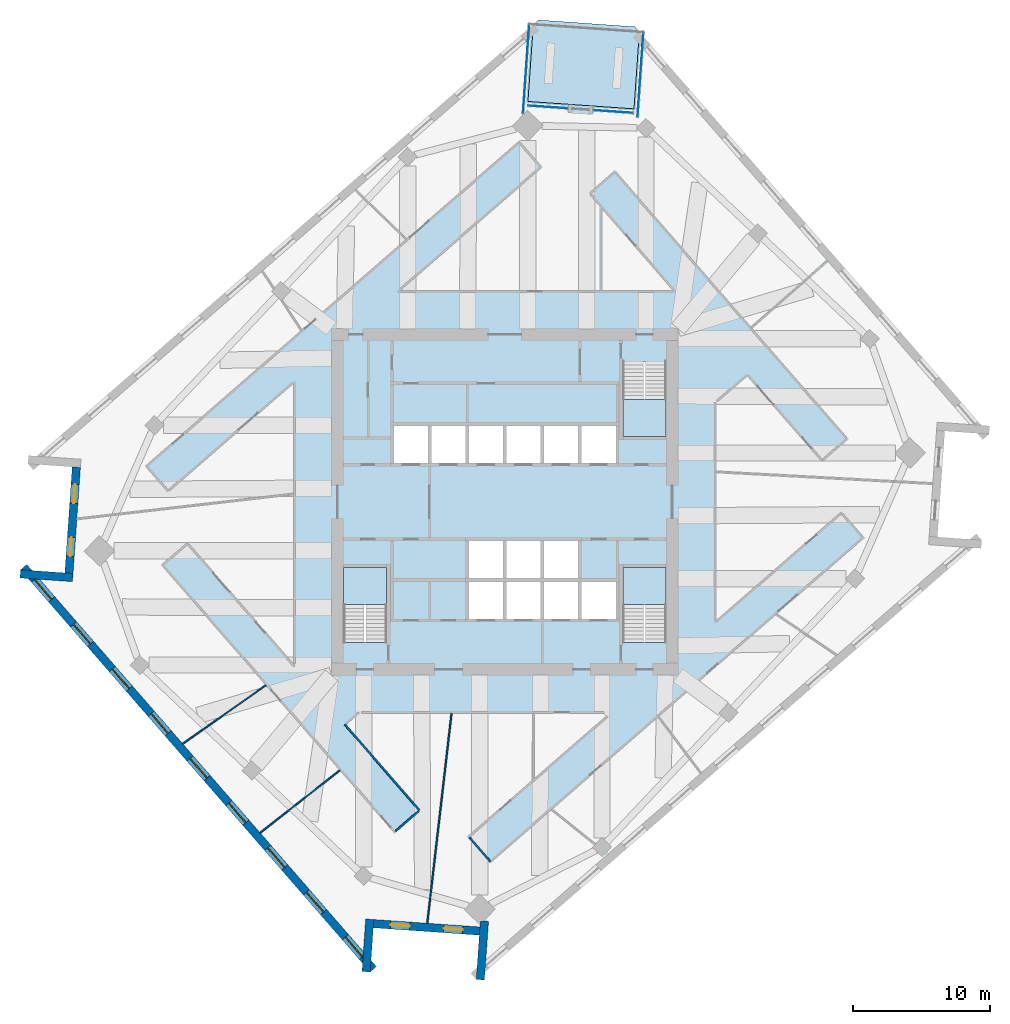
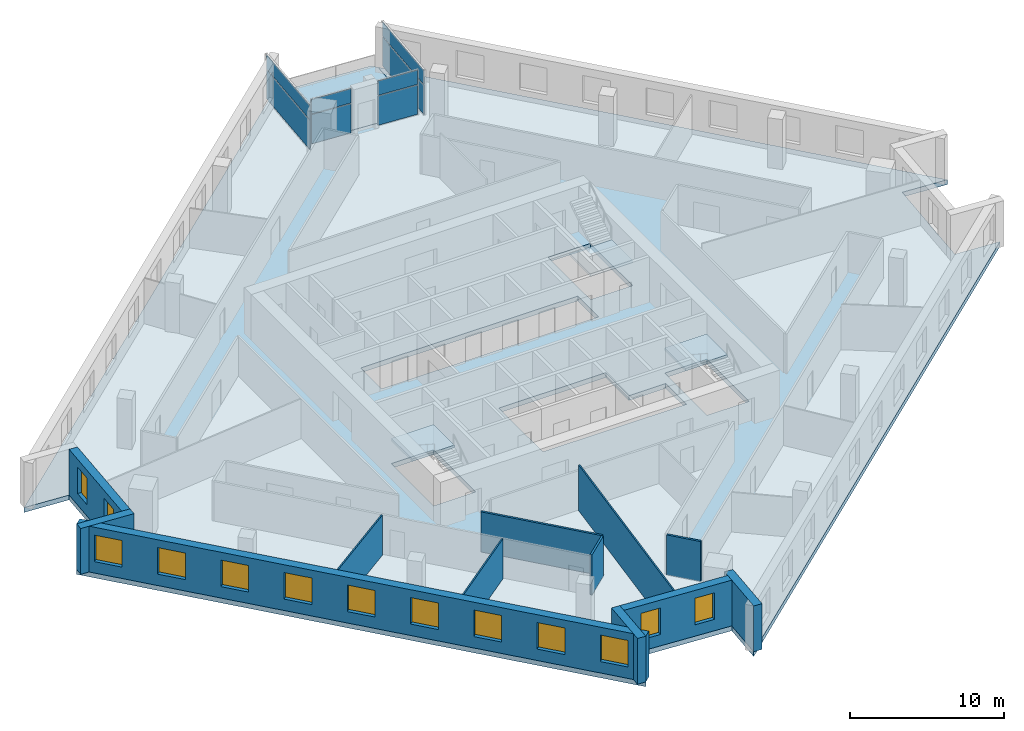
# One storey, part 3 of 11: 13 windows, 12 walls, 8 plates, 5 slabs, 13 openings, 7 elements without a shape of their own.
"""IFC4 building model written with IfcOpenShell, lengths in metres."""

from ifc_helpers import new_model, si_unit, direction, frame, frame_2d, origin, origin_2d, place, context, subcontext, project, spatial, polyline, rectangle, outline, extrude, material, layer, layer_set, type_object, element, fill, aggregate, save


model = new_model("IFC4")

# Units and contexts
model_context = context("Model", 3, precision=1e-05, world=origin(), true_north=direction((0.0, 1.0)))
body_context = subcontext(model_context, "Body", "Model", "MODEL_VIEW")
ifc_project = project(units=[si_unit("LENGTHUNIT", "METRE"), si_unit("AREAUNIT", "SQUARE_METRE"), si_unit("VOLUMEUNIT", "CUBIC_METRE"), si_unit("PLANEANGLEUNIT", "RADIAN"), si_unit("MASSUNIT", "GRAM", prefix="KILO")], contexts=[model_context])

# Site, building, storey
site_placement = place(None, origin())
site = spatial("IfcSite", under=ifc_project, at=site_placement, CompositionType="ELEMENT")
building_placement = place(site_placement, origin())
building = spatial("IfcBuilding", under=site, at=building_placement, Name="Dilmun Exchange Tower", CompositionType="ELEMENT")
storey_placement = place(building_placement, frame((0.0, 0.0, 193.300048828125)))
storey = spatial("IfcBuildingStorey", under=building, at=storey_placement, Name="L45", CompositionType="ELEMENT", Elevation=193.300048828125)

# Stair, slab
ifc_material_1 = material(Name="Concrete C40/50", Category="concrete")
stair_type = type_object("IfcStairType", Name="Exit stair 1500 half-turn", PredefinedType="HALF_TURN_STAIR", material=ifc_material_1)
stair_1_placement = place(storey_placement, origin())
stair_1 = element("IfcStair", 1, at=stair_1_placement, inside=storey, type_object=stair_type, Name="L45 Protected exit stair ST1", PredefinedType="HALF_TURN_STAIR")
ifc_layer_1 = layer(ifc_material_1, 0.199951171875)
ifc_layer_set_1 = layer_set([ifc_layer_1], Name="Concrete C40/50")
slab_type_1 = type_object("IfcSlabType", Name="Exit stair landing 200", PredefinedType="LANDING", material=ifc_layer_set_1)
slab_1_placement = place(storey_placement, frame((0.0, 0.0, 1.800048828125)))
slab_1 = element("IfcSlab", 2, at=slab_1_placement, type_object=slab_type_1, Name="ST1 landing 1", PredefinedType="LANDING", context=body_context, shape_type="SweptSolid", body=[
    extrude(outline(polyline([(8.64990234375, 7.5), (8.64990234375, 4.800048828125), (11.800048828125, 4.800048828125), (11.800048828125, 7.5), (8.64990234375, 7.5)])), origin(), (0.0, 0.0, 1.0), 0.199951171875),
])
aggregate(stair_1, [slab_1])

stair_2_placement = place(storey_placement, origin())
stair_2 = element("IfcStair", 3, at=stair_2_placement, inside=storey, type_object=stair_type, Name="L45 Protected exit stair ST2", PredefinedType="HALF_TURN_STAIR")
slab_2_placement = place(storey_placement, frame((0.0, 0.0, 1.800048828125)))
slab_2 = element("IfcSlab", 4, at=slab_2_placement, type_object=slab_type_1, Name="ST2 landing 1", PredefinedType="LANDING", context=body_context, shape_type="SweptSolid", body=[
    extrude(outline(polyline([(-8.64990234375, -7.5), (-8.64990234375, -4.800048828125), (-11.800048828125, -4.800048828125), (-11.800048828125, -7.5), (-8.64990234375, -7.5)])), origin(), (0.0, 0.0, 1.0), 0.199951171875),
])
aggregate(stair_2, [slab_2])

stair_3_placement = place(storey_placement, origin())
stair_3 = element("IfcStair", 5, at=stair_3_placement, inside=storey, type_object=stair_type, Name="L45 Protected exit stair ST3", PredefinedType="HALF_TURN_STAIR")
slab_3_placement = place(storey_placement, frame((0.0, 0.0, 1.800048828125)))
slab_3 = element("IfcSlab", 6, at=slab_3_placement, type_object=slab_type_1, Name="ST3 landing 1", PredefinedType="LANDING", context=body_context, shape_type="SweptSolid", body=[
    extrude(outline(polyline([(11.800048828125, -7.5), (11.800048828125, -4.800048828125), (8.64990234375, -4.800048828125), (8.64990234375, -7.5), (11.800048828125, -7.5)])), origin(), (0.0, 0.0, 1.0), 0.199951171875),
])
aggregate(stair_3, [slab_3])

# Curtain wall, plates
ifc_material_2 = material(Name="Anodised aluminium and clear glass", Category="aluminium")
curtain_wall_type = type_object("IfcCurtainWallType", Name="Garden corner glazing", PredefinedType="NOTDEFINED", material=ifc_material_2)
curtain_wall_1_placement = place(storey_placement, origin())
curtain_wall_1 = element("IfcCurtainWall", 7, at=curtain_wall_1_placement, inside=storey, type_object=curtain_wall_type, Name="Garden corner glazing run GC1.1", PredefinedType="NOTDEFINED")
ifc_material_3 = material(Name="Clear glass", Category="glass")
ifc_layer_2 = layer(ifc_material_3, 0.028076171875)
ifc_layer_set_2 = layer_set([ifc_layer_2], Name="Clear glass")
plate_type = type_object("IfcPlateType", Name="Garden corner glazing glass panel 28", PredefinedType="CURTAIN_PANEL", material=ifc_layer_set_2)
plate_1_placement = place(storey_placement, frame((9.929443359375, 31.26220703125, 0.059814453125), z_axis=(0.0, 0.0, 1.0), x_axis=(-0.06975202085, -0.997564361627, 0.0)))
plate_1 = element("IfcPlate", 8, at=plate_1_placement, type_object=plate_type, Name="GC1.1 panel 1.1", PredefinedType="CURTAIN_PANEL", context=body_context, shape_type="SweptSolid", body=[
    extrude(rectangle(XDim=6.12646484375, YDim=0.028076171875, at=origin_2d()), origin(), (0.0, 0.0, 1.0), 2.31005859375),
])
plate_2_placement = place(storey_placement, frame((9.929443359375, 31.26220703125, 2.429931640625), z_axis=(0.0, 0.0, 1.0), x_axis=(-0.06975202085, -0.997564361627, 0.0)))
plate_2 = element("IfcPlate", 9, at=plate_2_placement, type_object=plate_type, Name="GC1.1 panel 1.2", PredefinedType="CURTAIN_PANEL", context=body_context, shape_type="SweptSolid", body=[
    extrude(rectangle(XDim=6.12646484375, YDim=0.028076171875, at=origin_2d()), origin(), (0.0, 0.0, 1.0), 1.1298828125),
])
aggregate(curtain_wall_1, [plate_1, plate_2])

curtain_wall_2_placement = place(storey_placement, origin())
curtain_wall_2 = element("IfcCurtainWall", 10, at=curtain_wall_2_placement, inside=storey, type_object=curtain_wall_type, Name="Garden corner glazing run GC2.1", PredefinedType="NOTDEFINED")
plate_3_placement = place(storey_placement, frame((7.9423828125, 28.57080078125, 0.059814453125), z_axis=(0.0, 0.0, 1.0), x_axis=(-0.997561902605, 0.069787179845, 0.0)))
plate_3 = element("IfcPlate", 11, at=plate_3_placement, type_object=plate_type, Name="GC2.1 panel 1.1", PredefinedType="CURTAIN_PANEL", context=body_context, shape_type="SweptSolid", body=[
    extrude(rectangle(XDim=2.869140625, YDim=0.028076171875, at=origin_2d()), origin(), (0.0, 0.0, 1.0), 2.31005859375),
])
plate_4_placement = place(storey_placement, frame((7.9423828125, 28.57080078125, 2.429931640625), z_axis=(0.0, 0.0, 1.0), x_axis=(-0.997561902605, 0.069787179845, 0.0)))
plate_4 = element("IfcPlate", 12, at=plate_4_placement, type_object=plate_type, Name="GC2.1 panel 1.2", PredefinedType="CURTAIN_PANEL", context=body_context, shape_type="SweptSolid", body=[
    extrude(rectangle(XDim=2.869140625, YDim=0.028076171875, at=origin_2d()), origin(), (0.0, 0.0, 1.0), 1.1298828125),
])
aggregate(curtain_wall_2, [plate_3, plate_4])

curtain_wall_3_placement = place(storey_placement, origin())
curtain_wall_3 = element("IfcCurtainWall", 13, at=curtain_wall_3_placement, inside=storey, type_object=curtain_wall_type, Name="Garden corner glazing run GC2.3", PredefinedType="NOTDEFINED")
plate_5_placement = place(storey_placement, frame((3.1650390625, 28.905029296875, 0.059814453125), z_axis=(0.0, 0.0, 1.0), x_axis=(-0.997564231094, 0.069753887652, 0.0)))
plate_5 = element("IfcPlate", 14, at=plate_5_placement, type_object=plate_type, Name="GC2.3 panel 1.1", PredefinedType="CURTAIN_PANEL", context=body_context, shape_type="SweptSolid", body=[
    extrude(rectangle(XDim=2.869140625, YDim=0.028076171875, at=origin_2d()), origin(), (0.0, 0.0, 1.0), 2.31005859375),
])
plate_6_placement = place(storey_placement, frame((3.1650390625, 28.905029296875, 2.429931640625), z_axis=(0.0, 0.0, 1.0), x_axis=(-0.997564231094, 0.069753887652, 0.0)))
plate_6 = element("IfcPlate", 15, at=plate_6_placement, type_object=plate_type, Name="GC2.3 panel 1.2", PredefinedType="CURTAIN_PANEL", context=body_context, shape_type="SweptSolid", body=[
    extrude(rectangle(XDim=2.869140625, YDim=0.028076171875, at=origin_2d()), origin(), (0.0, 0.0, 1.0), 1.1298828125),
])
aggregate(curtain_wall_3, [plate_5, plate_6])

curtain_wall_4_placement = place(storey_placement, origin())
curtain_wall_4 = element("IfcCurtainWall", 16, at=curtain_wall_4_placement, inside=storey, type_object=curtain_wall_type, Name="Garden corner glazing run GC3.1", PredefinedType="NOTDEFINED")
plate_7_placement = place(storey_placement, frame((1.559814453125, 31.675537109375, 0.059814453125), z_axis=(0.0, 0.0, 1.0), x_axis=(0.069752103743, 0.99756435583, 0.0)))
plate_7 = element("IfcPlate", 17, at=plate_7_placement, type_object=plate_type, Name="GC3.1 panel 1.1", PredefinedType="CURTAIN_PANEL", context=body_context, shape_type="SweptSolid", body=[
    extrude(rectangle(XDim=6.468994140625, YDim=0.028076171875, at=origin_2d()), origin(), (0.0, 0.0, 1.0), 2.31005859375),
])
plate_8_placement = place(storey_placement, frame((1.559814453125, 31.675537109375, 2.429931640625), z_axis=(0.0, 0.0, 1.0), x_axis=(0.069752103743, 0.99756435583, 0.0)))
plate_8 = element("IfcPlate", 18, at=plate_8_placement, type_object=plate_type, Name="GC3.1 panel 1.2", PredefinedType="CURTAIN_PANEL", context=body_context, shape_type="SweptSolid", body=[
    extrude(rectangle(XDim=6.468994140625, YDim=0.028076171875, at=origin_2d()), origin(), (0.0, 0.0, 1.0), 1.1298828125),
])
aggregate(curtain_wall_4, [plate_7, plate_8])

# Slabs
ifc_layer_3 = layer(ifc_material_1, 0.3798828125)
ifc_layer_set_3 = layer_set([ifc_layer_3], Name="Concrete C40/50")
slab_type_2 = type_object("IfcSlabType", Name="RC floor slab 380", PredefinedType="FLOOR", material=ifc_layer_set_3)
slab_4_placement = place(storey_placement, frame((0.0, 0.0, -0.380126953125)))
element("IfcSlab", 19, at=slab_4_placement, inside=storey, type_object=slab_type_2, Name="Floor slab", PredefinedType="FLOOR", context=body_context, shape_type="SweptSolid", body=[
    extrude(outline(polyline([(32.19580078125, 5.19140625), (31.6533203125, -2.56787109375), (34.891845703125, -2.794189453125), (-2.0888671875, -34.941162109375), (-1.8623046875, -31.70263671875), (-9.62158203125, -31.16015625), (-9.84814453125, -34.398681640625), (-35.434326171875, -4.96484375), (-32.19580078125, -5.19140625), (-31.6533203125, 2.56787109375), (-34.891845703125, 2.794189453125), (2.0888671875, 34.941162109375), (1.695068359375, 29.30859375), (9.454345703125, 28.765869140625), (9.84814453125, 34.398681640625), (35.434326171875, 4.96484375), (32.19580078125, 5.19140625)]), holes=[polyline([(-8.64990234375, -4.800048828125), (-11.800048828125, -4.800048828125), (-11.800048828125, -10.294921875), (-8.64990234375, -10.294921875), (-8.64990234375, -4.800048828125)]), polyline([(11.800048828125, -4.800048828125), (8.64990234375, -4.800048828125), (8.64990234375, -10.294921875), (11.800048828125, -10.294921875), (11.800048828125, -4.800048828125)]), polyline([(5.375, -2.85009765625), (-2.625, -2.85009765625), (-2.625, -8.550048828125), (8.125, -8.550048828125), (8.125, -5.85009765625), (5.375, -5.85009765625), (5.375, -2.85009765625)]), polyline([(8.125, 2.85009765625), (8.125, 5.550048828125), (-8.125, 5.550048828125), (-8.125, 2.85009765625), (8.125, 2.85009765625)]), polyline([(8.64990234375, 10.294921875), (8.64990234375, 4.800048828125), (11.800048828125, 4.800048828125), (11.800048828125, 10.294921875), (8.64990234375, 10.294921875)])]), origin(), (0.0, 0.0, 1.0), 0.380126953125),
])
ifc_layer_4 = layer(ifc_material_1, 0.300048828125)
ifc_layer_set_4 = layer_set([ifc_layer_4], Name="Concrete C40/50")
slab_type_3 = type_object("IfcSlabType", Name="RC garden terrace slab 300", PredefinedType="FLOOR", material=ifc_layer_set_4)
slab_5_placement = place(storey_placement, frame((0.0, 0.0, -0.300048828125)))
element("IfcSlab", 20, at=slab_5_placement, inside=storey, type_object=slab_type_3, Name="Garden terrace slab", PredefinedType="FLOOR", context=body_context, shape_type="SweptSolid", body=[
    extrude(outline(polyline([(1.695068359375, 29.30859375), (2.0888671875, 34.941162109375), (2.46630859375, 35.269287109375), (9.52001953125, 34.77587890625), (9.84814453125, 34.398681640625), (9.454345703125, 28.765869140625), (1.695068359375, 29.30859375)])), origin(), (0.0, 0.0, 1.0), 0.300048828125),
])

# Walls
ifc_material_4 = material(Name="Corridor wall 150")
ifc_layer_5 = layer(ifc_material_4, 0.14990234375)
ifc_layer_set_5 = layer_set([ifc_layer_5], Name="Corridor wall 150")
wall_type_1 = type_object("IfcWallType", Name="Corridor wall 150", PredefinedType="PARTITIONING", material=ifc_layer_set_5)
wall_1_placement = place(storey_placement, frame((-11.705078125, -16.284912109375, 0.0), z_axis=(0.0, 0.0, 1.0), x_axis=(0.656018266208, -0.754745012837, 0.0)))
element("IfcWall", 21, at=wall_1_placement, inside=storey, type_object=wall_type_1, Name="Corridor wall", PredefinedType="PARTITIONING", context=body_context, shape_type="SweptSolid", body=[
    extrude(rectangle(XDim=8.326171875, YDim=0.14990234375, at=frame_2d((4.1630859375, 0.0))), origin(), (0.0, 0.0, 1.0), 3.169921875),
])
wall_2_placement = place(storey_placement, frame((-7.997314453125, -24.0947265625, 0.0), z_axis=(0.0, 0.0, 1.0), x_axis=(0.754549456123, 0.656243185308, 0.0)))
element("IfcWall", 22, at=wall_2_placement, inside=storey, type_object=wall_type_1, Name="Corridor wall", PredefinedType="PARTITIONING", context=body_context, shape_type="SweptSolid", body=[
    extrude(rectangle(XDim=2.25, YDim=0.14990234375, at=frame_2d((1.125, 0.0))), origin(), (0.0, 0.0, 1.0), 3.169921875),
])
wall_3_placement = place(storey_placement, frame((-2.581787109375, -24.5615234375, 0.0), z_axis=(0.0, 0.0, 1.0), x_axis=(0.655809509093, -0.754926412164, 0.0)))
element("IfcWall", 23, at=wall_3_placement, inside=storey, type_object=wall_type_1, Name="Corridor wall", PredefinedType="PARTITIONING", context=body_context, shape_type="SweptSolid", body=[
    extrude(rectangle(XDim=2.3251953125, YDim=0.14990234375, at=frame_2d((1.16259765625, 0.0))), origin(), (0.0, 0.0, 1.0), 3.169921875),
])
ifc_material_5 = material(Name="Partition 100")
ifc_layer_6 = layer(ifc_material_5, 0.10009765625)
ifc_layer_set_6 = layer_set([ifc_layer_6], Name="Partition 100")
wall_type_2 = type_object("IfcWallType", Name="Partition 100", PredefinedType="PARTITIONING", material=ifc_layer_set_6)
wall_4_placement = place(storey_placement, frame((-23.568115234375, -17.69775390625, 0.0), z_axis=(0.0, 0.0, 1.0), x_axis=(0.817824726915, 0.575467389212, 0.0)))
element("IfcWall", 24, at=wall_4_placement, inside=storey, type_object=wall_type_2, Name="Partition", PredefinedType="PARTITIONING", context=body_context, shape_type="SweptSolid", body=[
    extrude(rectangle(XDim=7.438232421875, YDim=0.10009765625, at=frame_2d((3.71923828125, 0.0))), origin(), (0.0, 0.0, 1.0), 3.169921875),
])
wall_5_placement = place(storey_placement, frame((-17.90283203125, -24.215087890625, 0.0), z_axis=(0.0, 0.0, 1.0), x_axis=(0.786835853262, 0.617162328744, 0.0)))
element("IfcWall", 25, at=wall_5_placement, inside=storey, type_object=wall_type_2, Name="Partition", PredefinedType="PARTITIONING", context=body_context, shape_type="SweptSolid", body=[
    extrude(rectangle(XDim=7.41162109375, YDim=0.10009765625, at=frame_2d((3.705810546875, 0.0))), origin(), (0.0, 0.0, 1.0), 3.169921875),
])
wall_6_placement = place(storey_placement, frame((-5.673828125, -30.832763671875, 0.0), z_axis=(0.0, 0.0, 1.0), x_axis=(0.114957483757, 0.993370412751, 0.0)))
element("IfcWall", 26, at=wall_6_placement, inside=storey, type_object=wall_type_2, Name="Partition", PredefinedType="PARTITIONING", context=body_context, shape_type="SweptSolid", body=[
    extrude(rectangle(XDim=15.45458984375, YDim=0.10009765625, at=frame_2d((7.727294921875, 0.0))), origin(), (0.0, 0.0, 1.0), 3.619873046875),
])

# Wall, openings, windows
ifc_material_6 = material(Name="Precast concrete C50/60", Category="concrete")
ifc_layer_7 = layer(ifc_material_6, 0.60009765625)
ifc_layer_set_7 = layer_set([ifc_layer_7], Name="Precast concrete C50/60")
wall_type_3 = type_object("IfcWallType", Name="Precast stone-clad wall 600", PredefinedType="STANDARD", material=ifc_layer_set_7)
wall_7_placement = place(storey_placement, frame((-31.35400390625, 2.546875, 0.0), z_axis=(0.0, 0.0, 1.0), x_axis=(-0.069743544409, -0.997564954283, 0.0)))
wall_7 = element("IfcWall", 27, at=wall_7_placement, inside=storey, type_object=wall_type_3, Name="Facade wall L45-05", PredefinedType="STANDARD", context=body_context, shape_type="SweptSolid", body=[
    extrude(rectangle(XDim=7.7783203125, YDim=0.60009765625, at=frame_2d((3.88916015625, 0.0))), origin(), (0.0, 0.0, 1.0), 3.619873046875),
])
opening_1_placement = place(wall_7_placement, frame((1.244384765625, 0.0, 0.89990234375)))
opening_1 = element("IfcOpeningElement", 28, at=opening_1_placement, cuts=wall_7, Name="Opening W140-210", PredefinedType="OPENING", context=body_context, shape_type="SweptSolid", body=[
    extrude(rectangle(XDim=1.39990234375, YDim=2.10009765625, at=frame_2d((0.699951171875, 1.050048828125))), frame((0.0, 0.31005859375, 0.0), z_axis=(0.0, -1.0, 0.0), x_axis=(1.0, 0.0, 0.0)), (0.0, 0.0, 1.0), 0.6201171875),
])
opening_2_placement = place(wall_7_placement, frame((5.133544921875, 0.0, 0.89990234375)))
opening_2 = element("IfcOpeningElement", 29, at=opening_2_placement, cuts=wall_7, Name="Opening W140-210", PredefinedType="OPENING", context=body_context, shape_type="SweptSolid", body=[
    extrude(rectangle(XDim=1.39990234375, YDim=2.10009765625, at=frame_2d((0.699951171875, 1.050048828125))), frame((0.0, 0.31005859375, 0.0), z_axis=(0.0, -1.0, 0.0), x_axis=(1.0, 0.0, 0.0)), (0.0, 0.0, 1.0), 0.6201171875),
])
ifc_material_7 = material(Name="Clear low-emissivity glass in aluminium frame", Category="aluminium")
window_type_1 = type_object("IfcWindowType", Name="Punched window 1400 x 2100", PartitioningType="DOUBLE_PANEL_VERTICAL", PredefinedType="WINDOW", material=ifc_material_7)
window_1_placement = place(opening_1_placement, origin())
window_1 = element("IfcWindow", 30, at=window_1_placement, inside=storey, type_object=window_type_1, Name="Window 6.1", OverallHeight=2.10009765625, OverallWidth=1.39990234375, PartitioningType="SINGLE_PANEL", PredefinedType="WINDOW", context=body_context, shape_type="SweptSolid", body=[
    extrude(rectangle(XDim=1.39990234375, YDim=2.10009765625, at=frame_2d((0.699951171875, 1.050048828125))), frame((0.0, 0.030029296875, 0.0), z_axis=(0.0, -1.0, 0.0), x_axis=(1.0, 0.0, 0.0)), (0.0, 0.0, 1.0), 0.06005859375),
])
fill(opening_1, window_1)
window_2_placement = place(opening_2_placement, origin())
window_2 = element("IfcWindow", 31, at=window_2_placement, inside=storey, type_object=window_type_1, Name="Window 6.2", OverallHeight=2.10009765625, OverallWidth=1.39990234375, PartitioningType="SINGLE_PANEL", PredefinedType="WINDOW", context=body_context, shape_type="SweptSolid", body=[
    extrude(rectangle(XDim=1.39990234375, YDim=2.10009765625, at=frame_2d((0.699951171875, 1.050048828125))), frame((0.0, 0.030029296875, 0.0), z_axis=(0.0, -1.0, 0.0), x_axis=(1.0, 0.0, 0.0)), (0.0, 0.0, 1.0), 0.06005859375),
])
fill(opening_2, window_2)

# Wall
wall_8_placement = place(storey_placement, frame((-31.618408203125, -5.532470703125, 0.0), z_axis=(0.0, 0.0, 1.0), x_axis=(-0.997563916762, 0.069758382828, 0.0)))
element("IfcWall", 32, at=wall_8_placement, inside=storey, type_object=wall_type_3, Name="Facade wall L45-06", PredefinedType="STANDARD", context=body_context, shape_type="SweptSolid", body=[
    extrude(rectangle(XDim=3.84619140625, YDim=0.60009765625, at=frame_2d((1.923095703125, 0.0))), origin(), (0.0, 0.0, 1.0), 3.619873046875),
])

# Wall, openings, windows
wall_9_placement = place(storey_placement, frame((-35.2080078125, -4.76806640625, 0.0), z_axis=(0.0, 0.0, 1.0), x_axis=(0.656058749455, -0.754709823219, 0.0)))
wall_9 = element("IfcWall", 33, at=wall_9_placement, inside=storey, type_object=wall_type_3, Name="Facade wall L45-07", PredefinedType="STANDARD", context=body_context, shape_type="SweptSolid", body=[
    extrude(rectangle(XDim=39.000244140625, YDim=0.60009765625, at=frame_2d((19.5, 0.0))), origin(), (0.0, 0.0, 1.0), 3.619873046875),
])
opening_3_placement = place(wall_9_placement, frame((1.216796875, 0.0, 0.89990234375)))
opening_3 = element("IfcOpeningElement", 34, at=opening_3_placement, cuts=wall_9, Name="Opening W190-210", PredefinedType="OPENING", context=body_context, shape_type="SweptSolid", body=[
    extrude(rectangle(XDim=1.89990234375, YDim=2.10009765625, at=frame_2d((0.949951171875, 1.050048828125))), frame((0.0, 0.31005859375, 0.0), z_axis=(0.0, -1.0, 0.0), x_axis=(1.0, 0.0, 0.0)), (0.0, 0.0, 1.0), 0.6201171875),
])
opening_4_placement = place(wall_9_placement, frame((5.550048828125, 0.0, 0.89990234375)))
opening_4 = element("IfcOpeningElement", 35, at=opening_4_placement, cuts=wall_9, Name="Opening W190-210", PredefinedType="OPENING", context=body_context, shape_type="SweptSolid", body=[
    extrude(rectangle(XDim=1.89990234375, YDim=2.10009765625, at=frame_2d((0.949951171875, 1.050048828125))), frame((0.0, 0.31005859375, 0.0), z_axis=(0.0, -1.0, 0.0), x_axis=(1.0, 0.0, 0.0)), (0.0, 0.0, 1.0), 0.6201171875),
])
opening_5_placement = place(wall_9_placement, frame((9.88330078125, 0.0, 0.89990234375)))
opening_5 = element("IfcOpeningElement", 36, at=opening_5_placement, cuts=wall_9, Name="Opening W190-210", PredefinedType="OPENING", context=body_context, shape_type="SweptSolid", body=[
    extrude(rectangle(XDim=1.89990234375, YDim=2.10009765625, at=frame_2d((0.949951171875, 1.050048828125))), frame((0.0, 0.31005859375, 0.0), z_axis=(0.0, -1.0, 0.0), x_axis=(1.0, 0.0, 0.0)), (0.0, 0.0, 1.0), 0.6201171875),
])
opening_6_placement = place(wall_9_placement, frame((14.216796875, 0.0, 0.89990234375)))
opening_6 = element("IfcOpeningElement", 37, at=opening_6_placement, cuts=wall_9, Name="Opening W190-210", PredefinedType="OPENING", context=body_context, shape_type="SweptSolid", body=[
    extrude(rectangle(XDim=1.89990234375, YDim=2.10009765625, at=frame_2d((0.949951171875, 1.050048828125))), frame((0.0, 0.31005859375, 0.0), z_axis=(0.0, -1.0, 0.0), x_axis=(1.0, 0.0, 0.0)), (0.0, 0.0, 1.0), 0.6201171875),
])
opening_7_placement = place(wall_9_placement, frame((18.550048828125, 0.0, 0.89990234375)))
opening_7 = element("IfcOpeningElement", 38, at=opening_7_placement, cuts=wall_9, Name="Opening W190-210", PredefinedType="OPENING", context=body_context, shape_type="SweptSolid", body=[
    extrude(rectangle(XDim=1.89990234375, YDim=2.10009765625, at=frame_2d((0.949951171875, 1.050048828125))), frame((0.0, 0.31005859375, 0.0), z_axis=(0.0, -1.0, 0.0), x_axis=(1.0, 0.0, 0.0)), (0.0, 0.0, 1.0), 0.6201171875),
])
opening_8_placement = place(wall_9_placement, frame((22.88330078125, 0.0, 0.89990234375)))
opening_8 = element("IfcOpeningElement", 39, at=opening_8_placement, cuts=wall_9, Name="Opening W190-210", PredefinedType="OPENING", context=body_context, shape_type="SweptSolid", body=[
    extrude(rectangle(XDim=1.89990234375, YDim=2.10009765625, at=frame_2d((0.949951171875, 1.050048828125))), frame((0.0, 0.31005859375, 0.0), z_axis=(0.0, -1.0, 0.0), x_axis=(1.0, 0.0, 0.0)), (0.0, 0.0, 1.0), 0.6201171875),
])
opening_9_placement = place(wall_9_placement, frame((27.216796875, 0.0, 0.89990234375)))
opening_9 = element("IfcOpeningElement", 40, at=opening_9_placement, cuts=wall_9, Name="Opening W190-210", PredefinedType="OPENING", context=body_context, shape_type="SweptSolid", body=[
    extrude(rectangle(XDim=1.89990234375, YDim=2.10009765625, at=frame_2d((0.949951171875, 1.050048828125))), frame((0.0, 0.31005859375, 0.0), z_axis=(0.0, -1.0, 0.0), x_axis=(1.0, 0.0, 0.0)), (0.0, 0.0, 1.0), 0.6201171875),
])
opening_10_placement = place(wall_9_placement, frame((31.550048828125, 0.0, 0.89990234375)))
opening_10 = element("IfcOpeningElement", 41, at=opening_10_placement, cuts=wall_9, Name="Opening W190-210", PredefinedType="OPENING", context=body_context, shape_type="SweptSolid", body=[
    extrude(rectangle(XDim=1.89990234375, YDim=2.10009765625, at=frame_2d((0.949951171875, 1.050048828125))), frame((0.0, 0.31005859375, 0.0), z_axis=(0.0, -1.0, 0.0), x_axis=(1.0, 0.0, 0.0)), (0.0, 0.0, 1.0), 0.6201171875),
])
opening_11_placement = place(wall_9_placement, frame((35.88330078125, 0.0, 0.89990234375)))
opening_11 = element("IfcOpeningElement", 42, at=opening_11_placement, cuts=wall_9, Name="Opening W190-210", PredefinedType="OPENING", context=body_context, shape_type="SweptSolid", body=[
    extrude(rectangle(XDim=1.89990234375, YDim=2.10009765625, at=frame_2d((0.949951171875, 1.050048828125))), frame((0.0, 0.31005859375, 0.0), z_axis=(0.0, -1.0, 0.0), x_axis=(1.0, 0.0, 0.0)), (0.0, 0.0, 1.0), 0.6201171875),
])
window_type_2 = type_object("IfcWindowType", Name="Punched window 1900 x 2100", PartitioningType="DOUBLE_PANEL_VERTICAL", PredefinedType="WINDOW", material=ifc_material_7)
window_3_placement = place(opening_3_placement, origin())
window_3 = element("IfcWindow", 43, at=window_3_placement, inside=storey, type_object=window_type_2, Name="Window 8.1", OverallHeight=2.10009765625, OverallWidth=1.89990234375, PartitioningType="SINGLE_PANEL", PredefinedType="WINDOW", context=body_context, shape_type="SweptSolid", body=[
    extrude(rectangle(XDim=1.89990234375, YDim=2.10009765625, at=frame_2d((0.949951171875, 1.050048828125))), frame((0.0, 0.030029296875, 0.0), z_axis=(0.0, -1.0, 0.0), x_axis=(1.0, 0.0, 0.0)), (0.0, 0.0, 1.0), 0.06005859375),
])
fill(opening_3, window_3)
window_4_placement = place(opening_4_placement, origin())
window_4 = element("IfcWindow", 44, at=window_4_placement, inside=storey, type_object=window_type_2, Name="Window 8.2", OverallHeight=2.10009765625, OverallWidth=1.89990234375, PartitioningType="SINGLE_PANEL", PredefinedType="WINDOW", context=body_context, shape_type="SweptSolid", body=[
    extrude(rectangle(XDim=1.89990234375, YDim=2.10009765625, at=frame_2d((0.949951171875, 1.050048828125))), frame((0.0, 0.030029296875, 0.0), z_axis=(0.0, -1.0, 0.0), x_axis=(1.0, 0.0, 0.0)), (0.0, 0.0, 1.0), 0.06005859375),
])
fill(opening_4, window_4)
window_5_placement = place(opening_5_placement, origin())
window_5 = element("IfcWindow", 45, at=window_5_placement, inside=storey, type_object=window_type_2, Name="Window 8.3", OverallHeight=2.10009765625, OverallWidth=1.89990234375, PartitioningType="SINGLE_PANEL", PredefinedType="WINDOW", context=body_context, shape_type="SweptSolid", body=[
    extrude(rectangle(XDim=1.89990234375, YDim=2.10009765625, at=frame_2d((0.949951171875, 1.050048828125))), frame((0.0, 0.030029296875, 0.0), z_axis=(0.0, -1.0, 0.0), x_axis=(1.0, 0.0, 0.0)), (0.0, 0.0, 1.0), 0.06005859375),
])
fill(opening_5, window_5)
window_6_placement = place(opening_6_placement, origin())
window_6 = element("IfcWindow", 46, at=window_6_placement, inside=storey, type_object=window_type_2, Name="Window 8.4", OverallHeight=2.10009765625, OverallWidth=1.89990234375, PartitioningType="SINGLE_PANEL", PredefinedType="WINDOW", context=body_context, shape_type="SweptSolid", body=[
    extrude(rectangle(XDim=1.89990234375, YDim=2.10009765625, at=frame_2d((0.949951171875, 1.050048828125))), frame((0.0, 0.030029296875, 0.0), z_axis=(0.0, -1.0, 0.0), x_axis=(1.0, 0.0, 0.0)), (0.0, 0.0, 1.0), 0.06005859375),
])
fill(opening_6, window_6)
window_7_placement = place(opening_7_placement, origin())
window_7 = element("IfcWindow", 47, at=window_7_placement, inside=storey, type_object=window_type_2, Name="Window 8.5", OverallHeight=2.10009765625, OverallWidth=1.89990234375, PartitioningType="SINGLE_PANEL", PredefinedType="WINDOW", context=body_context, shape_type="SweptSolid", body=[
    extrude(rectangle(XDim=1.89990234375, YDim=2.10009765625, at=frame_2d((0.949951171875, 1.050048828125))), frame((0.0, 0.030029296875, 0.0), z_axis=(0.0, -1.0, 0.0), x_axis=(1.0, 0.0, 0.0)), (0.0, 0.0, 1.0), 0.06005859375),
])
fill(opening_7, window_7)
window_8_placement = place(opening_8_placement, origin())
window_8 = element("IfcWindow", 48, at=window_8_placement, inside=storey, type_object=window_type_2, Name="Window 8.6", OverallHeight=2.10009765625, OverallWidth=1.89990234375, PartitioningType="SINGLE_PANEL", PredefinedType="WINDOW", context=body_context, shape_type="SweptSolid", body=[
    extrude(rectangle(XDim=1.89990234375, YDim=2.10009765625, at=frame_2d((0.949951171875, 1.050048828125))), frame((0.0, 0.030029296875, 0.0), z_axis=(0.0, -1.0, 0.0), x_axis=(1.0, 0.0, 0.0)), (0.0, 0.0, 1.0), 0.06005859375),
])
fill(opening_8, window_8)
window_9_placement = place(opening_9_placement, origin())
window_9 = element("IfcWindow", 49, at=window_9_placement, inside=storey, type_object=window_type_2, Name="Window 8.7", OverallHeight=2.10009765625, OverallWidth=1.89990234375, PartitioningType="SINGLE_PANEL", PredefinedType="WINDOW", context=body_context, shape_type="SweptSolid", body=[
    extrude(rectangle(XDim=1.89990234375, YDim=2.10009765625, at=frame_2d((0.949951171875, 1.050048828125))), frame((0.0, 0.030029296875, 0.0), z_axis=(0.0, -1.0, 0.0), x_axis=(1.0, 0.0, 0.0)), (0.0, 0.0, 1.0), 0.06005859375),
])
fill(opening_9, window_9)
window_10_placement = place(opening_10_placement, origin())
window_10 = element("IfcWindow", 50, at=window_10_placement, inside=storey, type_object=window_type_2, Name="Window 8.8", OverallHeight=2.10009765625, OverallWidth=1.89990234375, PartitioningType="SINGLE_PANEL", PredefinedType="WINDOW", context=body_context, shape_type="SweptSolid", body=[
    extrude(rectangle(XDim=1.89990234375, YDim=2.10009765625, at=frame_2d((0.949951171875, 1.050048828125))), frame((0.0, 0.030029296875, 0.0), z_axis=(0.0, -1.0, 0.0), x_axis=(1.0, 0.0, 0.0)), (0.0, 0.0, 1.0), 0.06005859375),
])
fill(opening_10, window_10)
window_11_placement = place(opening_11_placement, origin())
window_11 = element("IfcWindow", 51, at=window_11_placement, inside=storey, type_object=window_type_2, Name="Window 8.9", OverallHeight=2.10009765625, OverallWidth=1.89990234375, PartitioningType="SINGLE_PANEL", PredefinedType="WINDOW", context=body_context, shape_type="SweptSolid", body=[
    extrude(rectangle(XDim=1.89990234375, YDim=2.10009765625, at=frame_2d((0.949951171875, 1.050048828125))), frame((0.0, 0.030029296875, 0.0), z_axis=(0.0, -1.0, 0.0), x_axis=(1.0, 0.0, 0.0)), (0.0, 0.0, 1.0), 0.06005859375),
])
fill(opening_11, window_11)

# Wall
wall_10_placement = place(storey_placement, frame((-10.1474609375, -34.377685546875, 0.0), z_axis=(0.0, 0.0, 1.0), x_axis=(0.069753966021, 0.997564225614, 0.0)))
element("IfcWall", 52, at=wall_10_placement, inside=storey, type_object=wall_type_3, Name="Facade wall L45-08", PredefinedType="STANDARD", context=body_context, shape_type="SweptSolid", body=[
    extrude(rectangle(XDim=3.846435546875, YDim=0.60009765625, at=frame_2d((1.92333984375, 0.0))), origin(), (0.0, 0.0, 1.0), 3.619873046875),
])

# Wall, openings, windows
wall_11_placement = place(storey_placement, frame((-9.6005859375, -30.86083984375, 0.0), z_axis=(0.0, 0.0, 1.0), x_axis=(0.997564801601, -0.069745728239, 0.0)))
wall_11 = element("IfcWall", 53, at=wall_11_placement, inside=storey, type_object=wall_type_3, Name="Facade wall L45-09", PredefinedType="STANDARD", context=body_context, shape_type="SweptSolid", body=[
    extrude(rectangle(XDim=7.778076171875, YDim=0.60009765625, at=frame_2d((3.88916015625, 0.0))), origin(), (0.0, 0.0, 1.0), 3.619873046875),
])
opening_12_placement = place(wall_11_placement, frame((1.244384765625, 0.0, 0.89990234375)))
opening_12 = element("IfcOpeningElement", 54, at=opening_12_placement, cuts=wall_11, Name="Opening W140-210", PredefinedType="OPENING", context=body_context, shape_type="SweptSolid", body=[
    extrude(rectangle(XDim=1.39990234375, YDim=2.10009765625, at=frame_2d((0.699951171875, 1.050048828125))), frame((0.0, 0.31005859375, 0.0), z_axis=(0.0, -1.0, 0.0), x_axis=(1.0, 0.0, 0.0)), (0.0, 0.0, 1.0), 0.6201171875),
])
opening_13_placement = place(wall_11_placement, frame((5.133544921875, 0.0, 0.89990234375)))
opening_13 = element("IfcOpeningElement", 55, at=opening_13_placement, cuts=wall_11, Name="Opening W140-210", PredefinedType="OPENING", context=body_context, shape_type="SweptSolid", body=[
    extrude(rectangle(XDim=1.39990234375, YDim=2.10009765625, at=frame_2d((0.699951171875, 1.050048828125))), frame((0.0, 0.31005859375, 0.0), z_axis=(0.0, -1.0, 0.0), x_axis=(1.0, 0.0, 0.0)), (0.0, 0.0, 1.0), 0.6201171875),
])
window_12_placement = place(opening_12_placement, origin())
window_12 = element("IfcWindow", 56, at=window_12_placement, inside=storey, type_object=window_type_1, Name="Window 10.1", OverallHeight=2.10009765625, OverallWidth=1.39990234375, PartitioningType="SINGLE_PANEL", PredefinedType="WINDOW", context=body_context, shape_type="SweptSolid", body=[
    extrude(rectangle(XDim=1.39990234375, YDim=2.10009765625, at=frame_2d((0.699951171875, 1.050048828125))), frame((0.0, 0.030029296875, 0.0), z_axis=(0.0, -1.0, 0.0), x_axis=(1.0, 0.0, 0.0)), (0.0, 0.0, 1.0), 0.06005859375),
])
fill(opening_12, window_12)
window_13_placement = place(opening_13_placement, origin())
window_13 = element("IfcWindow", 57, at=window_13_placement, inside=storey, type_object=window_type_1, Name="Window 10.2", OverallHeight=2.10009765625, OverallWidth=1.39990234375, PartitioningType="SINGLE_PANEL", PredefinedType="WINDOW", context=body_context, shape_type="SweptSolid", body=[
    extrude(rectangle(XDim=1.39990234375, YDim=2.10009765625, at=frame_2d((0.699951171875, 1.050048828125))), frame((0.0, 0.030029296875, 0.0), z_axis=(0.0, -1.0, 0.0), x_axis=(1.0, 0.0, 0.0)), (0.0, 0.0, 1.0), 0.06005859375),
])
fill(opening_13, window_13)

# Wall
wall_12_placement = place(storey_placement, frame((-1.489501953125, -30.669189453125, 0.0), z_axis=(0.0, 0.0, 1.0), x_axis=(-0.069722992179, -0.997566390954, 0.0)))
element("IfcWall", 58, at=wall_12_placement, inside=storey, type_object=wall_type_3, Name="Facade wall L45-10", PredefinedType="STANDARD", context=body_context, shape_type="SweptSolid", body=[
    extrude(rectangle(XDim=4.303466796875, YDim=0.60009765625, at=frame_2d((2.15185546875, 0.0))), origin(), (0.0, 0.0, 1.0), 3.619873046875),
])

save(model, "model.ifc")
